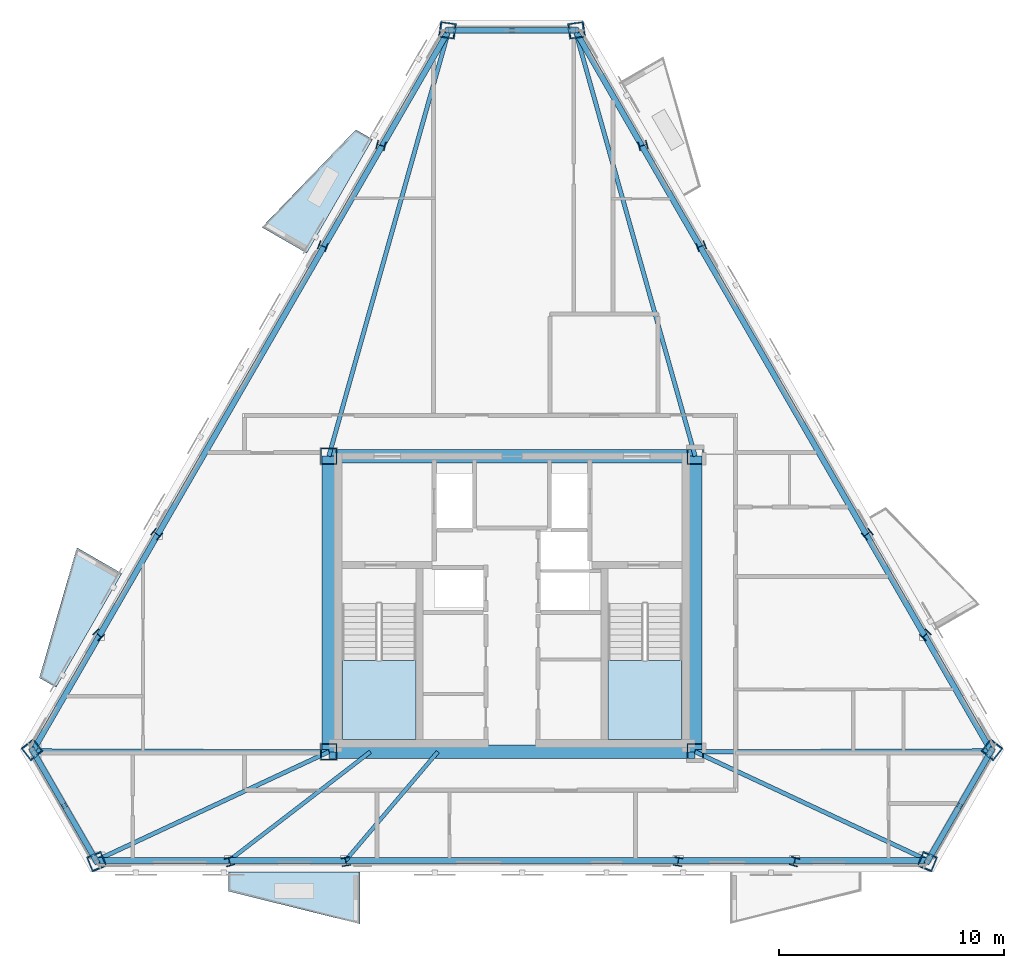
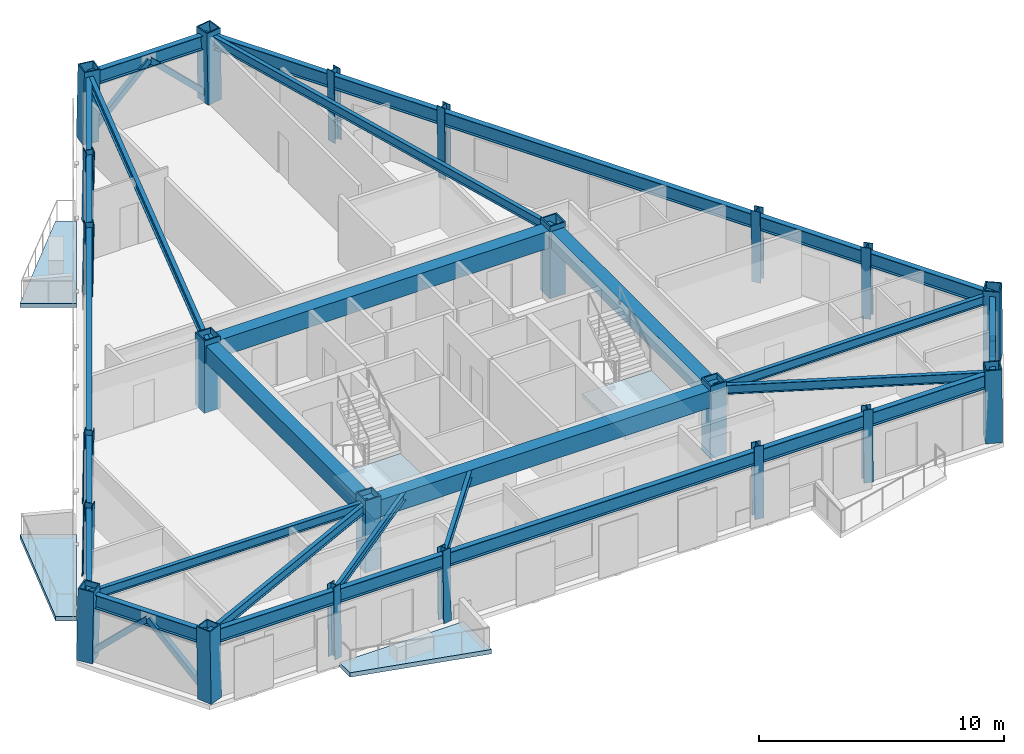
# One storey, part 1 of 8: 30 beams, 22 columns, 6 members, 5 slabs, 2 elements without a shape of their own.
"""IFC4 building model written with IfcOpenShell, lengths in metres."""

from ifc_helpers import new_model, si_unit, direction, frame, origin, origin_2d, place, context, subcontext, project, spatial, polyline, rectangle, hollow_rectangle, i_section, outline, extrude, material, layer, layer_set, material_profile, profile_set, type_object, element, aggregate, save


model = new_model("IFC4")

# Units and contexts
model_context = context("Model", 3, precision=1e-05, world=origin(), true_north=direction((0.0, 1.0)))
body_context = subcontext(model_context, "Body", "Model", "MODEL_VIEW")
ifc_project = project(units=[si_unit("LENGTHUNIT", "METRE"), si_unit("AREAUNIT", "SQUARE_METRE"), si_unit("VOLUMEUNIT", "CUBIC_METRE"), si_unit("PLANEANGLEUNIT", "RADIAN"), si_unit("MASSUNIT", "GRAM", prefix="KILO")], contexts=[model_context])

# Site, building, storey
site_placement = place(None, origin())
site = spatial("IfcSite", under=ifc_project, at=site_placement, CompositionType="ELEMENT")
building_placement = place(site_placement, origin())
building = spatial("IfcBuilding", under=site, at=building_placement, Name="Oramaril Tower", CompositionType="ELEMENT")
storey_placement = place(building_placement, frame((0.0, 0.0, 241.5)))
storey = spatial("IfcBuildingStorey", under=building, at=storey_placement, Name="L64", CompositionType="ELEMENT", Elevation=241.5)

# Columns
ifc_material_1 = material(Name="Steel ASTM A572 Gr 50", Category="steel")
ifc_material_profile_1 = material_profile(ifc_material_1, hollow_rectangle(XDim=0.75, YDim=0.75, WallThickness=0.06005859375, at=origin_2d()), Name="BOX750X750X60")
ifc_profile_set_1 = profile_set([ifc_material_profile_1], Name="Steel ASTM A572 Gr 50")
column_type_1 = type_object("IfcColumnType", Name="CT-CC4", PredefinedType="COLUMN", material=ifc_profile_set_1)
for number, where, z_axis, x_axis, name in (
    (1, (29.35009765625, 11.0, 0.0), (0.0, 0.0, 1.0), (1.0, 0.0, 0.0), "L64 Core Column CC-1"),
    (2, (45.64990234375, 11.0, 0.0), (0.0, 0.0, 1.0), (1.0, 0.0, 0.0), "L64 Core Column CC-2"),
    (3, (45.64990234375, 24.14990234375, 0.0), (0.0, 0.0, 1.0), (1.0, 0.0, 0.0), "L64 Core Column CC-3"),
    (4, (29.35009765625, 24.14990234375, 0.0), (0.0, 0.0, 1.0), (1.0, 0.0, 0.0), "L64 Core Column CC-4"),
):
    element("IfcColumn", number, at=place(storey_placement, frame(where, z_axis=z_axis, x_axis=x_axis)), inside=storey, type_object=column_type_1, Name=name, PredefinedType="COLUMN", context=body_context, shape_type="SweptSolid", body=[
        extrude(hollow_rectangle(XDim=0.75, YDim=0.75, WallThickness=0.06005859375, at=origin_2d()), origin(), (0.0, 0.0, 1.0), 3.60009765625),
    ])
ifc_material_2 = material(Name="Steel ASTM A572 Gr 50", Category="steel")
ifc_material_profile_2 = material_profile(ifc_material_2, hollow_rectangle(XDim=0.699951171875, YDim=0.699951171875, WallThickness=0.054931640625, at=origin_2d()), Name="BOX700X700X55")
ifc_profile_set_2 = profile_set([ifc_material_profile_2], Name="Steel ASTM A572 Gr 50")
column_type_2 = type_object("IfcColumnType", Name="CT-TC4", PredefinedType="COLUMN", material=ifc_profile_set_2)
for number, where, z_axis, x_axis, name in (
    (5, (16.142578125, 11.096923828125, 0.00439453125), (0.01155549741, -0.014886199604, 0.999822420003), (0.789934532242, 0.613191189411, 0.0), "L64 Tube Column TC-01"),
    (6, (19.0244140625, 6.10546875, 0.00439453125), (-0.007137215476, 0.017469184547, 0.999821928018), (-0.925718992464, -0.378212039723, 0.0), "L64 Tube Column TC-02"),
    (7, (55.9755859375, 6.10546875, 0.00439453125), (0.007137215476, 0.017469184547, 0.999821928018), (-0.925718992464, 0.378212039723, 0.0), "L64 Tube Column TC-03"),
    (8, (58.857421875, 11.096923828125, 0.00439453125), (-0.01155549741, -0.014886199604, 0.999822420003), (0.789934532242, -0.613191189411, 0.0), "L64 Tube Column TC-04"),
    (9, (40.3818359375, 43.09765625, 0.00439453125), (-0.018692707416, -0.002582992297, 0.999821939567), (0.136881178185, -0.990587473704, 0.0), "L64 Tube Column TC-05"),
    (10, (34.6181640625, 43.09765625, 0.00439453125), (0.018692707416, -0.002582992297, 0.999821939567), (0.136881178185, 0.990587473704, 0.0), "L64 Tube Column TC-06"),
):
    element("IfcColumn", number, at=place(storey_placement, frame(where, z_axis=z_axis, x_axis=x_axis)), inside=storey, type_object=column_type_2, Name=name, PredefinedType="COLUMN", context=body_context, shape_type="SweptSolid", body=[
        extrude(hollow_rectangle(XDim=0.699951171875, YDim=0.699951171875, WallThickness=0.054931640625, at=origin_2d()), origin(), (0.0, 0.0, 1.0), 3.591796875),
    ])
ifc_material_3 = material(Name="Steel ASTM A572 Gr 50", Category="steel")
ifc_material_profile_3 = material_profile(ifc_material_3, i_section(OverallWidth=0.39892578125, OverallDepth=0.385986328125, WebThickness=0.02099609375, FlangeThickness=0.033203125, at=origin_2d()), Name="W14X176")
ifc_profile_set_3 = profile_set([ifc_material_profile_3], Name="Steel ASTM A572 Gr 50")
column_type_3 = type_object("IfcColumnType", Name="CT-TF4", PredefinedType="COLUMN", material=ifc_profile_set_3)
for number, where, z_axis, x_axis, name in (
    (11, (24.9365234375, 6.10546875, 0.00439453125), (-0.00482618385, 0.01746942605, 0.999835750062), (-0.963893088501, -0.266289530286, 0.0), "L64 Tube Column TC-07"),
    (12, (30.10986328125, 6.10546875, 0.00439453125), (-0.002854947272, 0.017469558307, 0.99984331963), (-0.986907943312, -0.161284566611, 0.0), "L64 Tube Column TC-08"),
    (13, (44.89013671875, 6.10546875, 0.00439453125), (0.002854947272, 0.017469558307, 0.99984331963), (-0.986907943312, 0.161284566611, 0.0), "L64 Tube Column TC-09"),
    (14, (50.0634765625, 6.10546875, 0.00439453125), (0.00482618385, 0.01746942605, 0.999835750062), (-0.963893088501, 0.266289530286, 0.0), "L64 Tube Column TC-10"),
    (15, (55.9013671875, 16.217041015625, 0.00439453125), (-0.012711217237, -0.012915140508, 0.99983579857), (0.712711060542, -0.701457728007, 0.0), "L64 Tube Column TC-11"),
    (16, (53.314697265625, 20.697021484375, 0.00439453125), (-0.013730940464, -0.011147892258, 0.999843580653), (0.63030320246, -0.776349066444, 0.0), "L64 Tube Column TC-12"),
    (17, (45.924560546875, 33.49755859375, 0.00439453125), (-0.016585869897, -0.006321663526, 0.999842460336), (0.356154573909, -0.934427054127, 0.0), "L64 Tube Column TC-13"),
    (18, (43.337890625, 37.9775390625, 0.00439453125), (-0.017537401969, -0.004554286558, 0.999835835528), (0.251352722141, -0.967895556903, 0.0), "L64 Tube Column TC-14"),
    (19, (31.662109375, 37.9775390625, 0.00439453125), (0.017537401969, -0.004554286558, 0.999835835528), (0.251352722141, 0.967895556903, 0.0), "L64 Tube Column TC-15"),
    (20, (29.075439453125, 33.49755859375, 0.00439453125), (0.016585869897, -0.006321663526, 0.999842460336), (0.356154573909, 0.934427054127, 0.0), "L64 Tube Column TC-16"),
    (21, (21.685302734375, 20.697021484375, 0.00439453125), (0.013730940464, -0.011147892258, 0.999843580653), (0.63030320246, 0.776349066444, 0.0), "L64 Tube Column TC-17"),
    (22, (19.0986328125, 16.217041015625, 0.00439453125), (0.012711217237, -0.012915140508, 0.99983579857), (0.712711060542, 0.701457728007, 0.0), "L64 Tube Column TC-18"),
):
    element("IfcColumn", number, at=place(storey_placement, frame(where, z_axis=z_axis, x_axis=x_axis)), inside=storey, type_object=column_type_3, Name=name, PredefinedType="COLUMN", context=body_context, shape_type="SweptSolid", body=[
        extrude(i_section(OverallWidth=0.39892578125, OverallDepth=0.385986328125, WebThickness=0.02099609375, FlangeThickness=0.033203125, at=origin_2d()), origin(), (0.0, 0.0, 1.0), 3.591552734375),
    ])

# Beams
ifc_material_4 = material(Name="Steel ASTM A572 Gr 50", Category="steel")
ifc_material_profile_4 = material_profile(ifc_material_4, i_section(OverallWidth=0.19091796875, OverallDepth=0.45703125, WebThickness=0.009033203125, FlangeThickness=0.014404296875, at=origin_2d()), Name="W18X50")
ifc_profile_set_4 = profile_set([ifc_material_profile_4], Name="Steel ASTM A572 Gr 50")
beam_type_1 = type_object("IfcBeamType", Name="BT-BB1", PredefinedType="BEAM", material=ifc_profile_set_4)
beam_1_placement = place(storey_placement, frame((29.35009765625, 11.0, 3.111572265625), z_axis=(-0.999994552743, 0.003300679246, 0.0), x_axis=(-0.003300679246, -0.999994552743, 0.0)))
element("IfcBeam", 23, at=beam_1_placement, inside=storey, type_object=beam_type_1, Name="L64 Radial Primary Beam RB-01", PredefinedType="BEAM", context=body_context, shape_type="SweptSolid", body=[
    extrude(i_section(OverallWidth=0.19091796875, OverallDepth=0.45703125, WebThickness=0.009033203125, FlangeThickness=0.014404296875, at=origin_2d()), origin(), (0.0, 0.0, 1.0), 13.166015625),
])
for number, where, z_axis, x_axis, name in (
    (24, (29.35009765625, 11.0, 3.111572265625), (-0.90614382441, -0.422969702797, 0.0), (0.422969702797, -0.90614382441, 0.0), "L64 Radial Primary Beam RB-02"),
    (25, (45.64990234375, 11.0, 3.111572265625), (0.90614382441, -0.422969702797, 0.0), (0.422969702797, 0.90614382441, 0.0), "L64 Radial Primary Beam RB-03"),
):
    element("IfcBeam", number, at=place(storey_placement, frame(where, z_axis=z_axis, x_axis=x_axis)), inside=storey, type_object=beam_type_1, Name=name, PredefinedType="BEAM", context=body_context, shape_type="SweptSolid", body=[
        extrude(i_section(OverallWidth=0.19091796875, OverallDepth=0.45703125, WebThickness=0.009033203125, FlangeThickness=0.014404296875, at=origin_2d()), origin(), (0.0, 0.0, 1.0), 11.423583984375),
    ])
beam_2_placement = place(storey_placement, frame((45.64990234375, 11.0, 3.111572265625), z_axis=(0.999994552743, 0.003300679246, 0.0), x_axis=(-0.003300679246, 0.999994552743, 0.0)))
element("IfcBeam", 26, at=beam_2_placement, inside=storey, type_object=beam_type_1, Name="L64 Radial Primary Beam RB-04", PredefinedType="BEAM", context=body_context, shape_type="SweptSolid", body=[
    extrude(i_section(OverallWidth=0.19091796875, OverallDepth=0.45703125, WebThickness=0.009033203125, FlangeThickness=0.014404296875, at=origin_2d()), origin(), (0.0, 0.0, 1.0), 13.166015625),
])
for number, where, z_axis, x_axis, name in (
    (27, (45.64990234375, 24.14990234375, 3.111572265625), (-0.271158068303, 0.962534831575, 0.0), (-0.962534831575, -0.271158068303, 0.0), "L64 Radial Primary Beam RB-05"),
    (28, (29.35009765625, 24.14990234375, 3.111572265625), (0.271158068303, 0.962534831575, 0.0), (-0.962534831575, 0.271158068303, 0.0), "L64 Radial Primary Beam RB-06"),
):
    element("IfcBeam", number, at=place(storey_placement, frame(where, z_axis=z_axis, x_axis=x_axis)), inside=storey, type_object=beam_type_1, Name=name, PredefinedType="BEAM", context=body_context, shape_type="SweptSolid", body=[
        extrude(i_section(OverallWidth=0.19091796875, OverallDepth=0.45703125, WebThickness=0.009033203125, FlangeThickness=0.014404296875, at=origin_2d()), origin(), (0.0, 0.0, 1.0), 19.675537109375),
    ])
ifc_material_5 = material(Name="Concrete C50/60", Category="concrete")
ifc_material_profile_5 = material_profile(ifc_material_5, rectangle(XDim=0.60009765625, YDim=0.85009765625, at=origin_2d()), Name="CB600X850")
ifc_profile_set_5 = profile_set([ifc_material_profile_5], Name="Concrete C50/60")
beam_type_2 = type_object("IfcBeamType", Name="BT-CB2", PredefinedType="BEAM", material=ifc_profile_set_5)
beam_3_placement = place(storey_placement, frame((29.35009765625, 11.0, 2.9150390625), z_axis=(1.0, 0.0, 0.0), x_axis=(0.0, 1.0, 0.0)))
element("IfcBeam", 29, at=beam_3_placement, inside=storey, type_object=beam_type_2, Name="L64 Core Header Beam CB-1", PredefinedType="BEAM", context=body_context, shape_type="SweptSolid", body=[
    extrude(rectangle(XDim=0.60009765625, YDim=0.85009765625, at=origin_2d()), origin(), (0.0, 0.0, 1.0), 16.2998046875),
])
beam_4_placement = place(storey_placement, frame((45.64990234375, 11.0, 2.9150390625), z_axis=(0.0, 1.0, 0.0), x_axis=(-1.0, 0.0, 0.0)))
element("IfcBeam", 30, at=beam_4_placement, inside=storey, type_object=beam_type_2, Name="L64 Core Header Beam CB-2", PredefinedType="BEAM", context=body_context, shape_type="SweptSolid", body=[
    extrude(rectangle(XDim=0.60009765625, YDim=0.85009765625, at=origin_2d()), origin(), (0.0, 0.0, 1.0), 13.14990234375),
])
beam_5_placement = place(storey_placement, frame((45.64990234375, 24.14990234375, 2.9150390625), z_axis=(-1.0, 0.0, 0.0), x_axis=(0.0, -1.0, 0.0)))
element("IfcBeam", 31, at=beam_5_placement, inside=storey, type_object=beam_type_2, Name="L64 Core Header Beam CB-3", PredefinedType="BEAM", context=body_context, shape_type="SweptSolid", body=[
    extrude(rectangle(XDim=0.60009765625, YDim=0.85009765625, at=origin_2d()), origin(), (0.0, 0.0, 1.0), 16.2998046875),
])
beam_6_placement = place(storey_placement, frame((29.35009765625, 24.14990234375, 2.9150390625), z_axis=(0.0, -1.0, 0.0), x_axis=(1.0, 0.0, 0.0)))
element("IfcBeam", 32, at=beam_6_placement, inside=storey, type_object=beam_type_2, Name="L64 Core Header Beam CB-4", PredefinedType="BEAM", context=body_context, shape_type="SweptSolid", body=[
    extrude(rectangle(XDim=0.60009765625, YDim=0.85009765625, at=origin_2d()), origin(), (0.0, 0.0, 1.0), 13.14990234375),
])
ifc_material_6 = material(Name="Steel ASTM A572 Gr 50", Category="steel")
ifc_material_profile_6 = material_profile(ifc_material_6, i_section(OverallWidth=0.177978515625, OverallDepth=0.404052734375, WebThickness=0.007568359375, FlangeThickness=0.010986328125, at=origin_2d()), Name="W16X36")
ifc_profile_set_6 = profile_set([ifc_material_profile_6], Name="Steel ASTM A572 Gr 50")
beam_type_3 = type_object("IfcBeamType", Name="BT-SB1", PredefinedType="BEAM", material=ifc_profile_set_6)
beam_7_placement = place(storey_placement, frame((31.199951171875, 11.0, 3.137939453125), z_axis=(-0.792597645921, -0.609745005458, 0.0), x_axis=(0.609745005458, -0.792597645921, 0.0)))
element("IfcBeam", 33, at=beam_7_placement, inside=storey, type_object=beam_type_3, Name="L64 Secondary Floor Beam SB-01", PredefinedType="BEAM", context=body_context, shape_type="SweptSolid", body=[
    extrude(i_section(OverallWidth=0.177978515625, OverallDepth=0.404052734375, WebThickness=0.007568359375, FlangeThickness=0.010986328125, at=origin_2d()), origin(), (0.0, 0.0, 1.0), 7.92431640625),
])
beam_8_placement = place(storey_placement, frame((34.199951171875, 11.0, 3.137939453125), z_axis=(-0.647036499557, -0.762459027254, 0.0), x_axis=(0.762459027254, -0.647036499557, 0.0)))
element("IfcBeam", 34, at=beam_8_placement, inside=storey, type_object=beam_type_3, Name="L64 Secondary Floor Beam SB-02", PredefinedType="BEAM", context=body_context, shape_type="SweptSolid", body=[
    extrude(i_section(OverallWidth=0.177978515625, OverallDepth=0.404052734375, WebThickness=0.007568359375, FlangeThickness=0.010986328125, at=origin_2d()), origin(), (0.0, 0.0, 1.0), 6.337158203125),
])
ifc_material_7 = material(Name="Steel ASTM A572 Gr 50", Category="steel")
ifc_material_profile_7 = material_profile(ifc_material_7, i_section(OverallWidth=0.257080078125, OverallDepth=0.693115234375, WebThickness=0.014404296875, FlangeThickness=0.023681640625, at=origin_2d()), Name="W27X114")
ifc_profile_set_7 = profile_set([ifc_material_profile_7], Name="Steel ASTM A572 Gr 50")
beam_type_4 = type_object("IfcBeamType", Name="BT-SP4", PredefinedType="SPANDREL", material=ifc_profile_set_7)
beam_9_placement = place(storey_placement, frame((16.18408203125, 11.04345703125, 2.993408203125), z_axis=(0.499996502575, -0.866027423014, 0.0), x_axis=(0.866027423014, 0.499996502575, 0.0)))
element("IfcBeam", 35, at=beam_9_placement, inside=storey, type_object=beam_type_4, Name="L64 Perimeter Spandrel 01", PredefinedType="SPANDREL", context=body_context, shape_type="SweptSolid", body=[
    extrude(i_section(OverallWidth=0.257080078125, OverallDepth=0.693115234375, WebThickness=0.014404296875, FlangeThickness=0.023681640625, at=origin_2d()), origin(), (0.0, 0.0, 1.0), 5.62939453125),
])
beam_10_placement = place(storey_placement, frame((18.998779296875, 6.168212890625, 2.993408203125), z_axis=(1.0, 0.0, 0.0), x_axis=(0.0, 1.0, 0.0)))
element("IfcBeam", 36, at=beam_10_placement, inside=storey, type_object=beam_type_4, Name="L64 Perimeter Spandrel 02", PredefinedType="SPANDREL", context=body_context, shape_type="SweptSolid", body=[
    extrude(i_section(OverallWidth=0.257080078125, OverallDepth=0.693115234375, WebThickness=0.014404296875, FlangeThickness=0.023681640625, at=origin_2d()), origin(), (0.0, 0.0, 1.0), 5.92041015625),
])
beam_11_placement = place(storey_placement, frame((24.919189453125, 6.168212890625, 2.993408203125), z_axis=(1.0, 0.0, 0.0), x_axis=(0.0, 1.0, 0.0)))
element("IfcBeam", 37, at=beam_11_placement, inside=storey, type_object=beam_type_4, Name="L64 Perimeter Spandrel 03", PredefinedType="SPANDREL", context=body_context, shape_type="SweptSolid", body=[
    extrude(i_section(OverallWidth=0.257080078125, OverallDepth=0.693115234375, WebThickness=0.014404296875, FlangeThickness=0.023681640625, at=origin_2d()), origin(), (0.0, 0.0, 1.0), 5.180419921875),
])
beam_12_placement = place(storey_placement, frame((30.099609375, 6.168212890625, 2.993408203125), z_axis=(1.0, 0.0, 0.0), x_axis=(0.0, 1.0, 0.0)))
element("IfcBeam", 38, at=beam_12_placement, inside=storey, type_object=beam_type_4, Name="L64 Perimeter Spandrel 04", PredefinedType="SPANDREL", context=body_context, shape_type="SweptSolid", body=[
    extrude(i_section(OverallWidth=0.257080078125, OverallDepth=0.693115234375, WebThickness=0.014404296875, FlangeThickness=0.023681640625, at=origin_2d()), origin(), (0.0, 0.0, 1.0), 14.80078125),
])
beam_13_placement = place(storey_placement, frame((44.900390625, 6.168212890625, 2.993408203125), z_axis=(1.0, 0.0, 0.0), x_axis=(0.0, 1.0, 0.0)))
element("IfcBeam", 39, at=beam_13_placement, inside=storey, type_object=beam_type_4, Name="L64 Perimeter Spandrel 05", PredefinedType="SPANDREL", context=body_context, shape_type="SweptSolid", body=[
    extrude(i_section(OverallWidth=0.257080078125, OverallDepth=0.693115234375, WebThickness=0.014404296875, FlangeThickness=0.023681640625, at=origin_2d()), origin(), (0.0, 0.0, 1.0), 5.180419921875),
])
beam_14_placement = place(storey_placement, frame((50.080810546875, 6.168212890625, 2.993408203125), z_axis=(1.0, 0.0, 0.0), x_axis=(0.0, 1.0, 0.0)))
element("IfcBeam", 40, at=beam_14_placement, inside=storey, type_object=beam_type_4, Name="L64 Perimeter Spandrel 06", PredefinedType="SPANDREL", context=body_context, shape_type="SweptSolid", body=[
    extrude(i_section(OverallWidth=0.257080078125, OverallDepth=0.693115234375, WebThickness=0.014404296875, FlangeThickness=0.023681640625, at=origin_2d()), origin(), (0.0, 0.0, 1.0), 5.92041015625),
])
beam_15_placement = place(storey_placement, frame((56.001220703125, 6.168212890625, 2.993408203125), z_axis=(0.499996502575, 0.866027423014, 0.0), x_axis=(-0.866027423014, 0.499996502575, 0.0)))
element("IfcBeam", 41, at=beam_15_placement, inside=storey, type_object=beam_type_4, Name="L64 Perimeter Spandrel 07", PredefinedType="SPANDREL", context=body_context, shape_type="SweptSolid", body=[
    extrude(i_section(OverallWidth=0.257080078125, OverallDepth=0.693115234375, WebThickness=0.014404296875, FlangeThickness=0.023681640625, at=origin_2d()), origin(), (0.0, 0.0, 1.0), 5.62939453125),
])
beam_16_placement = place(storey_placement, frame((58.81591796875, 11.04345703125, 2.993408203125), z_axis=(-0.500002072072, 0.86602420747, 0.0), x_axis=(-0.86602420747, -0.500002072072, 0.0)))
element("IfcBeam", 42, at=beam_16_placement, inside=storey, type_object=beam_type_4, Name="L64 Perimeter Spandrel 08", PredefinedType="SPANDREL", context=body_context, shape_type="SweptSolid", body=[
    extrude(i_section(OverallWidth=0.257080078125, OverallDepth=0.693115234375, WebThickness=0.014404296875, FlangeThickness=0.023681640625, at=origin_2d()), origin(), (0.0, 0.0, 1.0), 5.92041015625),
])
beam_17_placement = place(storey_placement, frame((55.855712890625, 16.170654296875, 2.993408203125), z_axis=(-0.500021611996, 0.866012925733, 0.0), x_axis=(-0.866012925733, -0.500021611996, 0.0)))
element("IfcBeam", 43, at=beam_17_placement, inside=storey, type_object=beam_type_4, Name="L64 Perimeter Spandrel 09", PredefinedType="SPANDREL", context=body_context, shape_type="SweptSolid", body=[
    extrude(i_section(OverallWidth=0.257080078125, OverallDepth=0.693115234375, WebThickness=0.014404296875, FlangeThickness=0.023681640625, at=origin_2d()), origin(), (0.0, 0.0, 1.0), 5.180419921875),
])
beam_18_placement = place(storey_placement, frame((53.265380859375, 20.656982421875, 2.993408203125), z_axis=(-0.499999457728, 0.866025716865, 0.0), x_axis=(-0.866025716865, -0.499999457728, 0.0)))
element("IfcBeam", 44, at=beam_18_placement, inside=storey, type_object=beam_type_4, Name="L64 Perimeter Spandrel 10", PredefinedType="SPANDREL", context=body_context, shape_type="SweptSolid", body=[
    extrude(i_section(OverallWidth=0.257080078125, OverallDepth=0.693115234375, WebThickness=0.014404296875, FlangeThickness=0.023681640625, at=origin_2d()), origin(), (0.0, 0.0, 1.0), 14.80078125),
])
beam_19_placement = place(storey_placement, frame((45.864990234375, 33.474853515625, 2.993408203125), z_axis=(-0.499986266222, 0.86603333284, 0.0), x_axis=(-0.86603333284, -0.499986266222, 0.0)))
element("IfcBeam", 45, at=beam_19_placement, inside=storey, type_object=beam_type_4, Name="L64 Perimeter Spandrel 11", PredefinedType="SPANDREL", context=body_context, shape_type="SweptSolid", body=[
    extrude(i_section(OverallWidth=0.257080078125, OverallDepth=0.693115234375, WebThickness=0.014404296875, FlangeThickness=0.023681640625, at=origin_2d()), origin(), (0.0, 0.0, 1.0), 5.180419921875),
])
beam_20_placement = place(storey_placement, frame((43.27490234375, 37.961181640625, 2.993408203125), z_axis=(-0.500002072072, 0.86602420747, 0.0), x_axis=(-0.86602420747, -0.500002072072, 0.0)))
element("IfcBeam", 46, at=beam_20_placement, inside=storey, type_object=beam_type_4, Name="L64 Perimeter Spandrel 12", PredefinedType="SPANDREL", context=body_context, shape_type="SweptSolid", body=[
    extrude(i_section(OverallWidth=0.257080078125, OverallDepth=0.693115234375, WebThickness=0.014404296875, FlangeThickness=0.023681640625, at=origin_2d()), origin(), (0.0, 0.0, 1.0), 5.92041015625),
])
beam_21_placement = place(storey_placement, frame((40.314697265625, 43.08837890625, 2.993408203125), z_axis=(-1.0, 0.0, 0.0), x_axis=(0.0, -1.0, 0.0)))
element("IfcBeam", 47, at=beam_21_placement, inside=storey, type_object=beam_type_4, Name="L64 Perimeter Spandrel 13", PredefinedType="SPANDREL", context=body_context, shape_type="SweptSolid", body=[
    extrude(i_section(OverallWidth=0.257080078125, OverallDepth=0.693115234375, WebThickness=0.014404296875, FlangeThickness=0.023681640625, at=origin_2d()), origin(), (0.0, 0.0, 1.0), 5.62939453125),
])
beam_22_placement = place(storey_placement, frame((34.685302734375, 43.08837890625, 2.993408203125), z_axis=(-0.500002072072, -0.86602420747, 0.0), x_axis=(0.86602420747, -0.500002072072, 0.0)))
element("IfcBeam", 48, at=beam_22_placement, inside=storey, type_object=beam_type_4, Name="L64 Perimeter Spandrel 14", PredefinedType="SPANDREL", context=body_context, shape_type="SweptSolid", body=[
    extrude(i_section(OverallWidth=0.257080078125, OverallDepth=0.693115234375, WebThickness=0.014404296875, FlangeThickness=0.023681640625, at=origin_2d()), origin(), (0.0, 0.0, 1.0), 5.92041015625),
])
beam_23_placement = place(storey_placement, frame((31.72509765625, 37.961181640625, 2.993408203125), z_axis=(-0.499986266222, -0.86603333284, 0.0), x_axis=(0.86603333284, -0.499986266222, 0.0)))
element("IfcBeam", 49, at=beam_23_placement, inside=storey, type_object=beam_type_4, Name="L64 Perimeter Spandrel 15", PredefinedType="SPANDREL", context=body_context, shape_type="SweptSolid", body=[
    extrude(i_section(OverallWidth=0.257080078125, OverallDepth=0.693115234375, WebThickness=0.014404296875, FlangeThickness=0.023681640625, at=origin_2d()), origin(), (0.0, 0.0, 1.0), 5.180419921875),
])
beam_24_placement = place(storey_placement, frame((29.135009765625, 33.474853515625, 2.993408203125), z_axis=(-0.499999457728, -0.866025716865, 0.0), x_axis=(0.866025716865, -0.499999457728, 0.0)))
element("IfcBeam", 50, at=beam_24_placement, inside=storey, type_object=beam_type_4, Name="L64 Perimeter Spandrel 16", PredefinedType="SPANDREL", context=body_context, shape_type="SweptSolid", body=[
    extrude(i_section(OverallWidth=0.257080078125, OverallDepth=0.693115234375, WebThickness=0.014404296875, FlangeThickness=0.023681640625, at=origin_2d()), origin(), (0.0, 0.0, 1.0), 14.80078125),
])
beam_25_placement = place(storey_placement, frame((21.734619140625, 20.656982421875, 2.993408203125), z_axis=(-0.500021611996, -0.866012925733, 0.0), x_axis=(0.866012925733, -0.500021611996, 0.0)))
element("IfcBeam", 51, at=beam_25_placement, inside=storey, type_object=beam_type_4, Name="L64 Perimeter Spandrel 17", PredefinedType="SPANDREL", context=body_context, shape_type="SweptSolid", body=[
    extrude(i_section(OverallWidth=0.257080078125, OverallDepth=0.693115234375, WebThickness=0.014404296875, FlangeThickness=0.023681640625, at=origin_2d()), origin(), (0.0, 0.0, 1.0), 5.180419921875),
])
beam_26_placement = place(storey_placement, frame((19.144287109375, 16.170654296875, 2.993408203125), z_axis=(-0.500002072072, -0.86602420747, 0.0), x_axis=(0.86602420747, -0.500002072072, 0.0)))
element("IfcBeam", 52, at=beam_26_placement, inside=storey, type_object=beam_type_4, Name="L64 Perimeter Spandrel 18", PredefinedType="SPANDREL", context=body_context, shape_type="SweptSolid", body=[
    extrude(i_section(OverallWidth=0.257080078125, OverallDepth=0.693115234375, WebThickness=0.014404296875, FlangeThickness=0.023681640625, at=origin_2d()), origin(), (0.0, 0.0, 1.0), 5.92041015625),
])

# Members
ifc_material_8 = material(Name="Steel ASTM A572 Gr 50", Category="steel")
ifc_material_profile_8 = material_profile(ifc_material_8, hollow_rectangle(XDim=0.25, YDim=0.25, WallThickness=0.011962890625, at=origin_2d()), Name="HSS250X250X12")
ifc_profile_set_8 = profile_set([ifc_material_profile_8], Name="Steel ASTM A572 Gr 50")
member_type = type_object("IfcMemberType", Name="MT-KB3", PredefinedType="BRACE", material=ifc_profile_set_8)
member_1_placement = place(storey_placement, frame((16.142578125, 11.096923828125, 0.179931640625), z_axis=(0.357778808886, -0.619656893329, 0.698584038224), x_axis=(0.866013460772, 0.500020685333, 0.0)))
element("IfcMember", 53, at=member_1_placement, inside=storey, type_object=member_type, Name="L64 Perimeter Chevron Brace KB-1A", PredefinedType="BRACE", context=body_context, shape_type="SweptSolid", body=[
    extrude(hollow_rectangle(XDim=0.25, YDim=0.25, WallThickness=0.011962890625, at=origin_2d()), origin(), (0.0, 0.0, 1.0), 4.02734375),
])
for number, where, z_axis, x_axis, name in (
    (54, (19.0244140625, 6.10546875, 0.179931640625), (-0.357765369541, 0.619694234636, 0.698557797119), (-0.866034640331, -0.49998400149, 0.0), "L64 Perimeter Chevron Brace KB-1B"),
    (55, (55.9755859375, 6.10546875, 0.179931640625), (0.357765369541, 0.619694234636, 0.698557797119), (-0.866034640331, 0.49998400149, 0.0), "L64 Perimeter Chevron Brace KB-2A"),
):
    element("IfcMember", number, at=place(storey_placement, frame(where, z_axis=z_axis, x_axis=x_axis)), inside=storey, type_object=member_type, Name=name, PredefinedType="BRACE", context=body_context, shape_type="SweptSolid", body=[
        extrude(hollow_rectangle(XDim=0.25, YDim=0.25, WallThickness=0.011962890625, at=origin_2d()), origin(), (0.0, 0.0, 1.0), 4.027587890625),
    ])
member_2_placement = place(storey_placement, frame((58.857421875, 11.096923828125, 0.179931640625), z_axis=(-0.357778808886, -0.619656893329, 0.698584038224), x_axis=(0.866013460772, -0.500020685333, 0.0)))
element("IfcMember", 56, at=member_2_placement, inside=storey, type_object=member_type, Name="L64 Perimeter Chevron Brace KB-2B", PredefinedType="BRACE", context=body_context, shape_type="SweptSolid", body=[
    extrude(hollow_rectangle(XDim=0.25, YDim=0.25, WallThickness=0.011962890625, at=origin_2d()), origin(), (0.0, 0.0, 1.0), 4.02734375),
])
for number, where, z_axis, x_axis, name in (
    (57, (40.3818359375, 43.09765625, 0.179931640625), (-0.715542461736, 0.0, 0.698569241702), (0.0, -1.0, 0.0), "L64 Perimeter Chevron Brace KB-3A"),
    (58, (34.6181640625, 43.09765625, 0.179931640625), (0.715542461736, 0.0, 0.698569241702), (0.0, 1.0, 0.0), "L64 Perimeter Chevron Brace KB-3B"),
):
    element("IfcMember", number, at=place(storey_placement, frame(where, z_axis=z_axis, x_axis=x_axis)), inside=storey, type_object=member_type, Name=name, PredefinedType="BRACE", context=body_context, shape_type="SweptSolid", body=[
        extrude(hollow_rectangle(XDim=0.25, YDim=0.25, WallThickness=0.011962890625, at=origin_2d()), origin(), (0.0, 0.0, 1.0), 4.027587890625),
    ])

# Slab
ifc_material_9 = material(Name="Concrete C40/50", Category="concrete")
ifc_layer_1 = layer(ifc_material_9, 0.199951171875)
ifc_layer_set_1 = layer_set([ifc_layer_1], Name="SLT-BAL20")
slab_type_1 = type_object("IfcSlabType", Name="SLT-BAL20", PredefinedType="FLOOR", material=ifc_layer_set_1)
slab_1_placement = place(storey_placement, frame((0.0, 0.0, -0.219970703125)))
element("IfcSlab", 59, at=slab_1_placement, inside=storey, type_object=slab_type_1, Name="L64 Cantilevered Balcony Slab L64-BAL-NW2", PredefinedType="FLOOR", context=body_context, shape_type="SweptSolid", body=[
    extrude(outline(polyline([(20.13818359375, 18.933349609375), (17.213134765625, 13.8671875), (16.475341796875, 14.293212890625), (18.14453125, 20.08447265625), (20.13818359375, 18.933349609375)])), origin(), (0.0, 0.0, 1.0), 0.219970703125),
])

# Stair, slab
ifc_material_10 = material(Name="Concrete C50/60", Category="concrete")
stair_type = type_object("IfcStairType", Name="STT-DG-3600", PredefinedType="HALF_TURN_STAIR", material=ifc_material_10)
stair_1_placement = place(storey_placement, origin())
stair_1 = element("IfcStair", 60, at=stair_1_placement, inside=storey, type_object=stair_type, Name="L64 Protected PFP Exit Stair ST-1", PredefinedType="HALF_TURN_STAIR")
ifc_material_11 = material(Name="Concrete C50/60", Category="concrete")
ifc_layer_2 = layer(ifc_material_11, 0.199951171875)
ifc_layer_set_2 = layer_set([ifc_layer_2], Name="SLT-LND20")
slab_type_2 = type_object("IfcSlabType", Name="SLT-LND20", PredefinedType="LANDING", material=ifc_layer_set_2)
slab_2_placement = place(storey_placement, frame((0.0, 0.0, 1.60009765625)))
slab_2 = element("IfcSlab", 61, at=slab_2_placement, type_object=slab_type_2, Name="ST-1 landing 1", PredefinedType="LANDING", context=body_context, shape_type="SweptSolid", body=[
    extrude(outline(polyline([(29.949951171875, 15.070068359375), (29.949951171875, 11.550048828125), (33.219970703125, 11.550048828125), (33.219970703125, 15.070068359375), (29.949951171875, 15.070068359375)])), origin(), (0.0, 0.0, 1.0), 0.199951171875),
])
aggregate(stair_1, [slab_2])

stair_2_placement = place(storey_placement, origin())
stair_2 = element("IfcStair", 62, at=stair_2_placement, inside=storey, type_object=stair_type, Name="L64 Protected PFP Exit Stair ST-2", PredefinedType="HALF_TURN_STAIR")
slab_3_placement = place(storey_placement, frame((0.0, 0.0, 1.60009765625)))
slab_3 = element("IfcSlab", 63, at=slab_3_placement, type_object=slab_type_2, Name="ST-2 landing 1", PredefinedType="LANDING", context=body_context, shape_type="SweptSolid", body=[
    extrude(outline(polyline([(41.780029296875, 15.070068359375), (41.780029296875, 11.550048828125), (45.050048828125, 11.550048828125), (45.050048828125, 15.070068359375), (41.780029296875, 15.070068359375)])), origin(), (0.0, 0.0, 1.0), 0.199951171875),
])
aggregate(stair_2, [slab_3])

# Slabs
ifc_material_12 = material(Name="Concrete C40/50", Category="concrete")
ifc_layer_3 = layer(ifc_material_12, 0.18994140625)
ifc_layer_set_3 = layer_set([ifc_layer_3], Name="SLT-PLN19")
slab_type_3 = type_object("IfcSlabType", Name="SLT-PLN19", PredefinedType="FLOOR", material=ifc_layer_set_3)
slab_4_placement = place(storey_placement, frame((0.0, 0.0, -0.219970703125)))
element("IfcSlab", 64, at=slab_4_placement, inside=storey, type_object=slab_type_3, Name="L64 Tree Planter Balcony Slab L64-BAL-S1", PredefinedType="FLOOR", context=body_context, shape_type="SweptSolid", body=[
    extrude(outline(polyline([(24.8837890625, 5.6474609375), (30.73388671875, 5.6474609375), (30.73388671875, 3.345458984375), (24.8837890625, 4.79541015625), (24.8837890625, 5.6474609375)])), origin(), (0.0, 0.0, 1.0), 0.219970703125),
])
slab_5_placement = place(storey_placement, frame((0.0, 0.0, -0.219970703125)))
element("IfcSlab", 65, at=slab_5_placement, inside=storey, type_object=slab_type_3, Name="L64 Tree Planter Balcony Slab L64-BAL-NW1", PredefinedType="FLOOR", context=body_context, shape_type="SweptSolid", body=[
    extrude(outline(polyline([(31.291748046875, 38.252197265625), (28.36669921875, 33.18603515625), (26.373291015625, 34.3369140625), (30.553955078125, 38.67822265625), (31.291748046875, 38.252197265625)])), origin(), (0.0, 0.0, 1.0), 0.219970703125),
])

save(model, "model.ifc")
